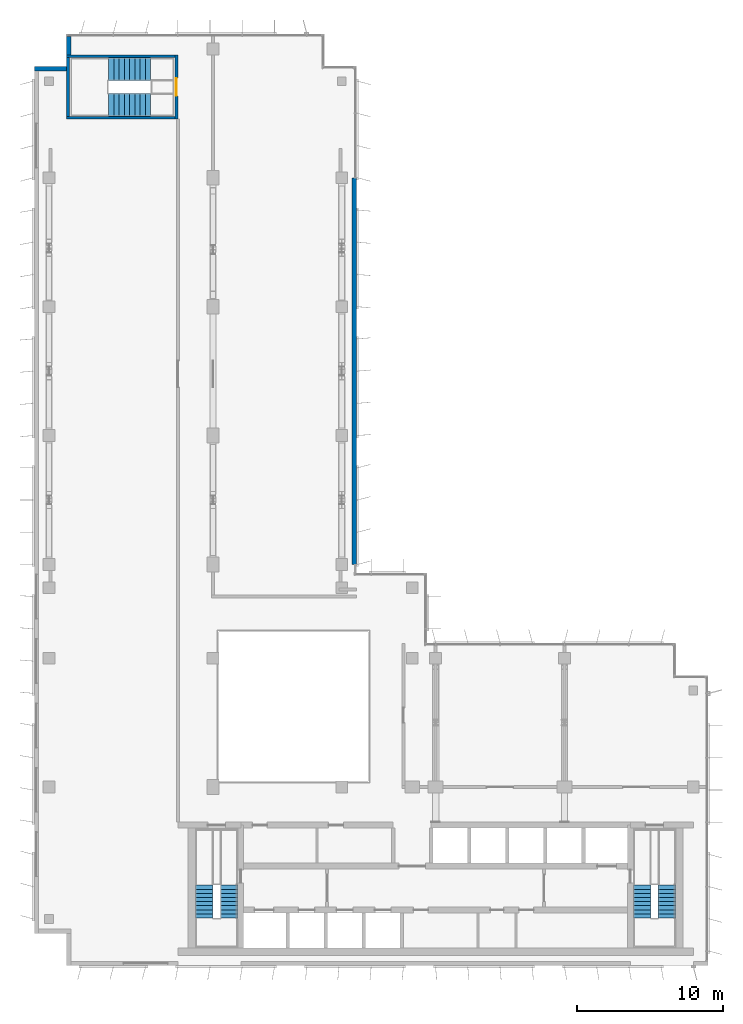
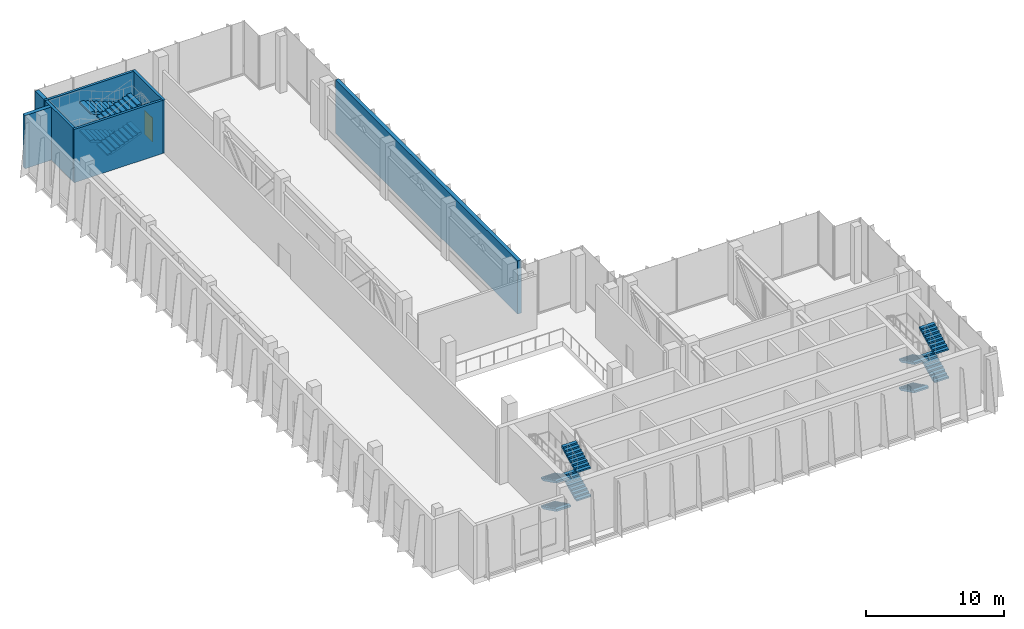
# One storey, part 9 of 13: 12 stair flights, 7 walls, 1 door, 1 opening, 3 elements without a shape of their own.
"""IFC4 building model written with IfcOpenShell, lengths in metres."""

from ifc_helpers import new_model, si_unit, direction, frame, frame_2d, origin, place, context, subcontext, project, spatial, polyline, rectangle, outline, extrude, material, layer, layer_set, type_object, element, fill, aggregate, save


model = new_model("IFC4")

# Units and contexts
model_context = context("Model", 3, precision=1e-05, world=origin(), true_north=direction((0.0, 1.0)))
body_context = subcontext(model_context, "Body", "Model", "MODEL_VIEW")
ifc_project = project(units=[si_unit("LENGTHUNIT", "METRE"), si_unit("AREAUNIT", "SQUARE_METRE"), si_unit("VOLUMEUNIT", "CUBIC_METRE"), si_unit("PLANEANGLEUNIT", "RADIAN"), si_unit("MASSUNIT", "GRAM", prefix="KILO")], contexts=[model_context])

# Site, building, storey
site_placement = place(None, origin())
site = spatial("IfcSite", under=ifc_project, at=site_placement, CompositionType="ELEMENT")
building_placement = place(site_placement, origin())
building = spatial("IfcBuilding", under=site, at=building_placement, Name="Kemantara Hotel Tower", CompositionType="ELEMENT")
storey_placement = place(building_placement, frame((0.0, 0.0, 256.10009765625)))
storey = spatial("IfcBuildingStorey", under=building, at=storey_placement, Name="L64", CompositionType="ELEMENT", Elevation=256.10009765625)

# Walls
ifc_material_1 = material(Name="Bronze anodised aluminium cladding on insulated steel stud wall", Category="steel")
ifc_layer_1 = layer(ifc_material_1, 0.300048828125)
ifc_layer_set_1 = layer_set([ifc_layer_1], Name="Bronze anodised aluminium cladding on insulated steel stud wall")
wall_type_1 = type_object("IfcWallType", Name="BRONZE METAL-CLAD EXTERNAL WALL 300", PredefinedType="STANDARD", material=ifc_layer_set_1)
wall_1_placement = place(storey_placement, frame((2.35009765625, 63.449951171875, 0.0), z_axis=(0.0, 0.0, 1.0), x_axis=(0.0, -1.0, 0.0)))
element("IfcWall", 1, at=wall_1_placement, inside=storey, type_object=wall_type_1, Name="EXTERNAL WALL L64 T4-R03", PredefinedType="STANDARD", context=body_context, shape_type="SweptSolid", body=[
    extrude(rectangle(XDim=1.25, YDim=0.300048828125, at=frame_2d((0.625, 0.0))), origin(), (0.0, 0.0, 1.0), 4.699951171875),
])
wall_2_placement = place(storey_placement, frame((2.199951171875, 61.25, 0.0), z_axis=(0.0, 0.0, 1.0), x_axis=(-1.0, 0.0, 0.0)))
element("IfcWall", 2, at=wall_2_placement, inside=storey, type_object=wall_type_1, Name="EXTERNAL WALL L64 T4-R04", PredefinedType="STANDARD", context=body_context, shape_type="SweptSolid", body=[
    extrude(rectangle(XDim=2.199951171875, YDim=0.300048828125, at=frame_2d((1.10009765625, 0.0))), origin(), (0.0, 0.0, 1.0), 4.699951171875),
])
wall_3_placement = place(storey_placement, frame((21.85009765625, 27.39990234375, 0.0), z_axis=(0.0, 0.0, 1.0), x_axis=(0.0, 1.0, 0.0)))
element("IfcWall", 3, at=wall_3_placement, inside=storey, type_object=wall_type_1, Name="EXTERNAL WALL L64 T4-R15.S0", PredefinedType="STANDARD", context=body_context, shape_type="SweptSolid", body=[
    extrude(rectangle(XDim=26.400146484375, YDim=0.300048828125, at=frame_2d((13.2001953125, 0.0))), origin(), (0.0, 0.0, 1.0), 4.699951171875),
])

# Wall, opening, door
ifc_material_2 = material(Name="Concrete fc 40 MPa", Category="concrete")
ifc_layer_2 = layer(ifc_material_2, 0.199951171875)
ifc_layer_set_2 = layer_set([ifc_layer_2], Name="Concrete fc 40 MPa")
wall_type_2 = type_object("IfcWallType", Name="Concrete stair wall 200 mm", PredefinedType="SHEAR", material=ifc_layer_set_2)
wall_4_placement = place(storey_placement, frame((9.699951171875, 57.800048828125, 0.0), z_axis=(0.0, 0.0, 1.0), x_axis=(0.0, 1.0, 0.0)))
wall_4 = element("IfcWall", 4, at=wall_4_placement, inside=storey, type_object=wall_type_2, Name="Stair ST4 enclosure wall with door", PredefinedType="SHEAR", context=body_context, shape_type="SweptSolid", body=[
    extrude(rectangle(XDim=4.39990234375, YDim=0.199951171875, at=frame_2d((2.199951171875, 0.0))), origin(), (0.0, 0.0, 1.0), 4.699951171875),
])
opening_placement = place(wall_4_placement, frame((1.60009765625, 0.0, 0.0)))
opening = element("IfcOpeningElement", 5, at=opening_placement, cuts=wall_4, Name="Opening ST4-C", PredefinedType="OPENING", context=body_context, shape_type="SweptSolid", body=[
    extrude(rectangle(XDim=1.199951171875, YDim=2.10009765625, at=frame_2d((0.60009765625, 1.050048828125))), frame((0.0, 0.10986328125, 0.0), z_axis=(0.0, -1.0, 0.0), x_axis=(1.0, 0.0, 0.0)), (0.0, 0.0, 1.0), 0.219970703125),
])
ifc_material_3 = material(Name="Steel fire door", Category="steel")
door_type = type_object("IfcDoorType", Name="Fire door FD90 1200 x 2100", OperationType="NOTDEFINED", PredefinedType="DOOR", material=ifc_material_3)
door_placement = place(opening_placement, origin())
door = element("IfcDoor", 6, at=door_placement, inside=storey, type_object=door_type, Name="Stair ST4 door", OperationType="SINGLE_SWING_RIGHT", OverallHeight=2.10009765625, OverallWidth=1.199951171875, PredefinedType="DOOR", context=body_context, shape_type="SweptSolid", body=[
    extrude(rectangle(XDim=1.199951171875, YDim=2.10009765625, at=frame_2d((0.60009765625, 1.050048828125))), frame((0.0, 0.02490234375, 0.0), z_axis=(0.0, -1.0, 0.0), x_axis=(1.0, 0.0, 0.0)), (0.0, 0.0, 1.0), 0.050048828125),
])
fill(opening, door)

# Walls
for number, where, z_axis, x_axis, name in (
    (7, (2.199951171875, 62.10009765625, 0.0), (0.0, 0.0, 1.0), (1.0, 0.0, 0.0), "Stair ST4 enclosure wall N"),
    (8, (2.199951171875, 57.89990234375, 0.0), (0.0, 0.0, 1.0), (1.0, 0.0, 0.0), "Stair ST4 enclosure wall S"),
):
    element("IfcWall", number, at=place(storey_placement, frame(where, z_axis=z_axis, x_axis=x_axis)), inside=storey, type_object=wall_type_2, Name=name, PredefinedType="SHEAR", context=body_context, shape_type="SweptSolid", body=[
        extrude(rectangle(XDim=7.400146484375, YDim=0.199951171875, at=frame_2d((3.7001953125, 0.0))), origin(), (0.0, 0.0, 1.0), 4.699951171875),
    ])
wall_5_placement = place(storey_placement, frame((2.300048828125, 58.0, 0.0), z_axis=(0.0, 0.0, 1.0), x_axis=(0.0, 1.0, 0.0)))
element("IfcWall", 9, at=wall_5_placement, inside=storey, type_object=wall_type_2, Name="Stair ST4 enclosure wall W", PredefinedType="SHEAR", context=body_context, shape_type="SweptSolid", body=[
    extrude(rectangle(XDim=4.0, YDim=0.199951171875, at=frame_2d((2.0, 0.0))), origin(), (0.0, 0.0, 1.0), 4.699951171875),
])

# Stair, stair flights
stair_type_1 = type_object("IfcStairType", Name="Stair 1200 wide 36 risers of 139 x 280 mm", PredefinedType="HALF_TURN_STAIR", material=ifc_material_2)
stair_1_placement = place(storey_placement, origin())
stair_1 = element("IfcStair", 10, at=stair_1_placement, inside=storey, type_object=stair_type_1, Name="L64 Exit stair ST1", PredefinedType="HALF_TURN_STAIR")
stair_flight_type_1 = type_object("IfcStairFlightType", Name="Stair flight 1200 wide 139 x 280 mm", PredefinedType="STRAIGHT", material=ifc_material_2)
stair_flight_1_placement = place(storey_placement, frame((11.60009765625, 5.5, 0.0), z_axis=(0.0, 0.0, 1.0), x_axis=(0.0, -1.0, 0.0)))
stair_flight_1 = element("IfcStairFlight", 11, at=stair_flight_1_placement, type_object=stair_flight_type_1, Name="ST1 flight 1", NumberOfRisers=9, NumberOfTreads=8, PredefinedType="STRAIGHT", RiserHeight=0.138888889, TreadLength=0.28, context=body_context, shape_type="SweptSolid", body=[
    extrude(outline(polyline([(0.0, 0.0), (0.0, 0.138916015625), (0.280029296875, 0.138916015625), (0.280029296875, 0.27783203125), (0.56005859375, 0.27783203125), (0.56005859375, 0.416748046875), (0.840087890625, 0.416748046875), (0.840087890625, 0.5556640625), (1.1201171875, 0.5556640625), (1.1201171875, 0.6943359375), (1.39990234375, 0.6943359375), (1.39990234375, 0.833251953125), (1.679931640625, 0.833251953125), (1.679931640625, 0.97216796875), (1.9599609375, 0.97216796875), (1.9599609375, 1.111083984375), (2.239990234375, 1.111083984375), (2.239990234375, 1.25), (2.239990234375, 0.94384765625), (0.33740234375, 0.0), (0.0, 0.0)])), frame((0.0, 0.60009765625, 0.0), z_axis=(0.0, -1.0, 0.0), x_axis=(1.0, 0.0, 0.0)), (0.0, 0.0, 1.0), 1.199951171875),
])
stair_flight_2_placement = place(storey_placement, frame((13.300048828125, 3.260009765625, 1.25), z_axis=(0.0, 0.0, 1.0), x_axis=(0.0, 1.0, 0.0)))
stair_flight_2 = element("IfcStairFlight", 12, at=stair_flight_2_placement, type_object=stair_flight_type_1, Name="ST1 flight 2", NumberOfRisers=9, NumberOfTreads=8, PredefinedType="STRAIGHT", RiserHeight=0.138888889, TreadLength=0.28, context=body_context, shape_type="SweptSolid", body=[
    extrude(outline(polyline([(0.0, 0.0), (0.0, 0.138916015625), (0.280029296875, 0.138916015625), (0.280029296875, 0.27783203125), (0.56005859375, 0.27783203125), (0.56005859375, 0.416748046875), (0.840087890625, 0.416748046875), (0.840087890625, 0.5556640625), (1.1201171875, 0.5556640625), (1.1201171875, 0.6943359375), (1.39990234375, 0.6943359375), (1.39990234375, 0.833251953125), (1.679931640625, 0.833251953125), (1.679931640625, 0.97216796875), (1.9599609375, 0.97216796875), (1.9599609375, 1.111083984375), (2.239990234375, 1.111083984375), (2.239990234375, 1.25), (2.239990234375, 0.94384765625), (0.33740234375, 0.0), (0.0, 0.0)])), frame((0.0, 0.60009765625, 0.0), z_axis=(0.0, -1.0, 0.0), x_axis=(1.0, 0.0, 0.0)), (0.0, 0.0, 1.0), 1.199951171875),
])
stair_flight_3_placement = place(storey_placement, frame((11.60009765625, 5.5, 2.5), z_axis=(0.0, 0.0, 1.0), x_axis=(0.0, -1.0, 0.0)))
stair_flight_3 = element("IfcStairFlight", 13, at=stair_flight_3_placement, type_object=stair_flight_type_1, Name="ST1 flight 3", NumberOfRisers=9, NumberOfTreads=8, PredefinedType="STRAIGHT", RiserHeight=0.138888889, TreadLength=0.28, context=body_context, shape_type="SweptSolid", body=[
    extrude(outline(polyline([(0.0, 0.0), (0.0, 0.138916015625), (0.280029296875, 0.138916015625), (0.280029296875, 0.27783203125), (0.56005859375, 0.27783203125), (0.56005859375, 0.416748046875), (0.840087890625, 0.416748046875), (0.840087890625, 0.5556640625), (1.1201171875, 0.5556640625), (1.1201171875, 0.6943359375), (1.39990234375, 0.6943359375), (1.39990234375, 0.833251953125), (1.679931640625, 0.833251953125), (1.679931640625, 0.97216796875), (1.9599609375, 0.97216796875), (1.9599609375, 1.111083984375), (2.239990234375, 1.111083984375), (2.239990234375, 1.25), (2.239990234375, 0.94384765625), (0.33740234375, 0.0), (0.0, 0.0)])), frame((0.0, 0.60009765625, 0.0), z_axis=(0.0, -1.0, 0.0), x_axis=(1.0, 0.0, 0.0)), (0.0, 0.0, 1.0), 1.199951171875),
])
stair_flight_4_placement = place(storey_placement, frame((13.300048828125, 3.260009765625, 3.75), z_axis=(0.0, 0.0, 1.0), x_axis=(0.0, 1.0, 0.0)))
stair_flight_4 = element("IfcStairFlight", 14, at=stair_flight_4_placement, type_object=stair_flight_type_1, Name="ST1 flight 4", NumberOfRisers=9, NumberOfTreads=8, PredefinedType="STRAIGHT", RiserHeight=0.138888889, TreadLength=0.28, context=body_context, shape_type="SweptSolid", body=[
    extrude(outline(polyline([(0.0, 0.0), (0.0, 0.138916015625), (0.280029296875, 0.138916015625), (0.280029296875, 0.27783203125), (0.56005859375, 0.27783203125), (0.56005859375, 0.416748046875), (0.840087890625, 0.416748046875), (0.840087890625, 0.5556640625), (1.1201171875, 0.5556640625), (1.1201171875, 0.6943359375), (1.39990234375, 0.6943359375), (1.39990234375, 0.833251953125), (1.679931640625, 0.833251953125), (1.679931640625, 0.97216796875), (1.9599609375, 0.97216796875), (1.9599609375, 1.111083984375), (2.239990234375, 1.111083984375), (2.239990234375, 1.25), (2.239990234375, 0.94384765625), (0.33740234375, 0.0), (0.0, 0.0)])), frame((0.0, 0.60009765625, 0.0), z_axis=(0.0, -1.0, 0.0), x_axis=(1.0, 0.0, 0.0)), (0.0, 0.0, 1.0), 1.199951171875),
])
aggregate(stair_1, [stair_flight_1, stair_flight_2, stair_flight_3, stair_flight_4])

stair_2_placement = place(storey_placement, origin())
stair_2 = element("IfcStair", 15, at=stair_2_placement, inside=storey, type_object=stair_type_1, Name="L64 Exit stair ST2", PredefinedType="HALF_TURN_STAIR")
stair_flight_5_placement = place(storey_placement, frame((41.5, 5.5, 0.0), z_axis=(0.0, 0.0, 1.0), x_axis=(0.0, -1.0, 0.0)))
stair_flight_5 = element("IfcStairFlight", 16, at=stair_flight_5_placement, type_object=stair_flight_type_1, Name="ST2 flight 1", NumberOfRisers=9, NumberOfTreads=8, PredefinedType="STRAIGHT", RiserHeight=0.138888889, TreadLength=0.28, context=body_context, shape_type="SweptSolid", body=[
    extrude(outline(polyline([(0.0, 0.0), (0.0, 0.138916015625), (0.280029296875, 0.138916015625), (0.280029296875, 0.27783203125), (0.56005859375, 0.27783203125), (0.56005859375, 0.416748046875), (0.840087890625, 0.416748046875), (0.840087890625, 0.5556640625), (1.1201171875, 0.5556640625), (1.1201171875, 0.6943359375), (1.39990234375, 0.6943359375), (1.39990234375, 0.833251953125), (1.679931640625, 0.833251953125), (1.679931640625, 0.97216796875), (1.9599609375, 0.97216796875), (1.9599609375, 1.111083984375), (2.239990234375, 1.111083984375), (2.239990234375, 1.25), (2.239990234375, 0.94384765625), (0.33740234375, 0.0), (0.0, 0.0)])), frame((0.0, 0.60009765625, 0.0), z_axis=(0.0, -1.0, 0.0), x_axis=(1.0, 0.0, 0.0)), (0.0, 0.0, 1.0), 1.199951171875),
])
stair_flight_6_placement = place(storey_placement, frame((43.199951171875, 3.260009765625, 1.25), z_axis=(0.0, 0.0, 1.0), x_axis=(0.0, 1.0, 0.0)))
stair_flight_6 = element("IfcStairFlight", 17, at=stair_flight_6_placement, type_object=stair_flight_type_1, Name="ST2 flight 2", NumberOfRisers=9, NumberOfTreads=8, PredefinedType="STRAIGHT", RiserHeight=0.138888889, TreadLength=0.28, context=body_context, shape_type="SweptSolid", body=[
    extrude(outline(polyline([(0.0, 0.0), (0.0, 0.138916015625), (0.280029296875, 0.138916015625), (0.280029296875, 0.27783203125), (0.56005859375, 0.27783203125), (0.56005859375, 0.416748046875), (0.840087890625, 0.416748046875), (0.840087890625, 0.5556640625), (1.1201171875, 0.5556640625), (1.1201171875, 0.6943359375), (1.39990234375, 0.6943359375), (1.39990234375, 0.833251953125), (1.679931640625, 0.833251953125), (1.679931640625, 0.97216796875), (1.9599609375, 0.97216796875), (1.9599609375, 1.111083984375), (2.239990234375, 1.111083984375), (2.239990234375, 1.25), (2.239990234375, 0.94384765625), (0.33740234375, 0.0), (0.0, 0.0)])), frame((0.0, 0.60009765625, 0.0), z_axis=(0.0, -1.0, 0.0), x_axis=(1.0, 0.0, 0.0)), (0.0, 0.0, 1.0), 1.199951171875),
])
stair_flight_7_placement = place(storey_placement, frame((41.5, 5.5, 2.5), z_axis=(0.0, 0.0, 1.0), x_axis=(0.0, -1.0, 0.0)))
stair_flight_7 = element("IfcStairFlight", 18, at=stair_flight_7_placement, type_object=stair_flight_type_1, Name="ST2 flight 3", NumberOfRisers=9, NumberOfTreads=8, PredefinedType="STRAIGHT", RiserHeight=0.138888889, TreadLength=0.28, context=body_context, shape_type="SweptSolid", body=[
    extrude(outline(polyline([(0.0, 0.0), (0.0, 0.138916015625), (0.280029296875, 0.138916015625), (0.280029296875, 0.27783203125), (0.56005859375, 0.27783203125), (0.56005859375, 0.416748046875), (0.840087890625, 0.416748046875), (0.840087890625, 0.5556640625), (1.1201171875, 0.5556640625), (1.1201171875, 0.6943359375), (1.39990234375, 0.6943359375), (1.39990234375, 0.833251953125), (1.679931640625, 0.833251953125), (1.679931640625, 0.97216796875), (1.9599609375, 0.97216796875), (1.9599609375, 1.111083984375), (2.239990234375, 1.111083984375), (2.239990234375, 1.25), (2.239990234375, 0.94384765625), (0.33740234375, 0.0), (0.0, 0.0)])), frame((0.0, 0.60009765625, 0.0), z_axis=(0.0, -1.0, 0.0), x_axis=(1.0, 0.0, 0.0)), (0.0, 0.0, 1.0), 1.199951171875),
])
stair_flight_8_placement = place(storey_placement, frame((43.199951171875, 3.260009765625, 3.75), z_axis=(0.0, 0.0, 1.0), x_axis=(0.0, 1.0, 0.0)))
stair_flight_8 = element("IfcStairFlight", 19, at=stair_flight_8_placement, type_object=stair_flight_type_1, Name="ST2 flight 4", NumberOfRisers=9, NumberOfTreads=8, PredefinedType="STRAIGHT", RiserHeight=0.138888889, TreadLength=0.28, context=body_context, shape_type="SweptSolid", body=[
    extrude(outline(polyline([(0.0, 0.0), (0.0, 0.138916015625), (0.280029296875, 0.138916015625), (0.280029296875, 0.27783203125), (0.56005859375, 0.27783203125), (0.56005859375, 0.416748046875), (0.840087890625, 0.416748046875), (0.840087890625, 0.5556640625), (1.1201171875, 0.5556640625), (1.1201171875, 0.6943359375), (1.39990234375, 0.6943359375), (1.39990234375, 0.833251953125), (1.679931640625, 0.833251953125), (1.679931640625, 0.97216796875), (1.9599609375, 0.97216796875), (1.9599609375, 1.111083984375), (2.239990234375, 1.111083984375), (2.239990234375, 1.25), (2.239990234375, 0.94384765625), (0.33740234375, 0.0), (0.0, 0.0)])), frame((0.0, 0.60009765625, 0.0), z_axis=(0.0, -1.0, 0.0), x_axis=(1.0, 0.0, 0.0)), (0.0, 0.0, 1.0), 1.199951171875),
])
aggregate(stair_2, [stair_flight_5, stair_flight_6, stair_flight_7, stair_flight_8])

stair_type_2 = type_object("IfcStairType", Name="Stair 1550 wide 36 risers of 139 x 360 mm", PredefinedType="HALF_TURN_STAIR", material=ifc_material_2)
stair_3_placement = place(storey_placement, origin())
stair_3 = element("IfcStair", 20, at=stair_3_placement, inside=storey, type_object=stair_type_2, Name="L64 Exit stair ST4", PredefinedType="HALF_TURN_STAIR")
stair_flight_type_2 = type_object("IfcStairFlightType", Name="Stair flight 1550 wide 139 x 360 mm", PredefinedType="STRAIGHT", material=ifc_material_2)
stair_flight_9_placement = place(storey_placement, frame((7.949951171875, 61.22509765625, 0.0), z_axis=(0.0, 0.0, 1.0), x_axis=(-1.0, 0.0, 0.0)))
stair_flight_9 = element("IfcStairFlight", 21, at=stair_flight_9_placement, type_object=stair_flight_type_2, Name="ST4 flight 1", NumberOfRisers=9, NumberOfTreads=8, PredefinedType="STRAIGHT", RiserHeight=0.138888889, TreadLength=0.36, context=body_context, shape_type="SweptSolid", body=[
    extrude(outline(polyline([(0.0, 0.0), (0.0, 0.138916015625), (0.360107421875, 0.138916015625), (0.360107421875, 0.27783203125), (0.719970703125, 0.27783203125), (0.719970703125, 0.416748046875), (1.080078125, 0.416748046875), (1.080078125, 0.5556640625), (1.43994140625, 0.5556640625), (1.43994140625, 0.6943359375), (1.800048828125, 0.6943359375), (1.800048828125, 0.833251953125), (2.159912109375, 0.833251953125), (2.159912109375, 0.97216796875), (2.52001953125, 0.97216796875), (2.52001953125, 1.111083984375), (2.8798828125, 1.111083984375), (2.8798828125, 1.25), (2.8798828125, 0.950439453125), (0.41650390625, 0.0), (0.0, 0.0)])), frame((0.0, 0.77490234375, 0.0), z_axis=(0.0, -1.0, 0.0), x_axis=(1.0, 0.0, 0.0)), (0.0, 0.0, 1.0), 1.550048828125),
])
stair_flight_10_placement = place(storey_placement, frame((5.070068359375, 58.77490234375, 1.25), z_axis=(0.0, 0.0, 1.0), x_axis=(1.0, 0.0, 0.0)))
stair_flight_10 = element("IfcStairFlight", 22, at=stair_flight_10_placement, type_object=stair_flight_type_2, Name="ST4 flight 2", NumberOfRisers=9, NumberOfTreads=8, PredefinedType="STRAIGHT", RiserHeight=0.138888889, TreadLength=0.36, context=body_context, shape_type="SweptSolid", body=[
    extrude(outline(polyline([(0.0, 0.0), (0.0, 0.138916015625), (0.360107421875, 0.138916015625), (0.360107421875, 0.27783203125), (0.719970703125, 0.27783203125), (0.719970703125, 0.416748046875), (1.080078125, 0.416748046875), (1.080078125, 0.5556640625), (1.43994140625, 0.5556640625), (1.43994140625, 0.6943359375), (1.800048828125, 0.6943359375), (1.800048828125, 0.833251953125), (2.159912109375, 0.833251953125), (2.159912109375, 0.97216796875), (2.52001953125, 0.97216796875), (2.52001953125, 1.111083984375), (2.8798828125, 1.111083984375), (2.8798828125, 1.25), (2.8798828125, 0.950439453125), (0.41650390625, 0.0), (0.0, 0.0)])), frame((0.0, 0.77490234375, 0.0), z_axis=(0.0, -1.0, 0.0), x_axis=(1.0, 0.0, 0.0)), (0.0, 0.0, 1.0), 1.550048828125),
])
stair_flight_11_placement = place(storey_placement, frame((7.949951171875, 61.22509765625, 2.5), z_axis=(0.0, 0.0, 1.0), x_axis=(-1.0, 0.0, 0.0)))
stair_flight_11 = element("IfcStairFlight", 23, at=stair_flight_11_placement, type_object=stair_flight_type_2, Name="ST4 flight 3", NumberOfRisers=9, NumberOfTreads=8, PredefinedType="STRAIGHT", RiserHeight=0.138888889, TreadLength=0.36, context=body_context, shape_type="SweptSolid", body=[
    extrude(outline(polyline([(0.0, 0.0), (0.0, 0.138916015625), (0.360107421875, 0.138916015625), (0.360107421875, 0.27783203125), (0.719970703125, 0.27783203125), (0.719970703125, 0.416748046875), (1.080078125, 0.416748046875), (1.080078125, 0.5556640625), (1.43994140625, 0.5556640625), (1.43994140625, 0.6943359375), (1.800048828125, 0.6943359375), (1.800048828125, 0.833251953125), (2.159912109375, 0.833251953125), (2.159912109375, 0.97216796875), (2.52001953125, 0.97216796875), (2.52001953125, 1.111083984375), (2.8798828125, 1.111083984375), (2.8798828125, 1.25), (2.8798828125, 0.950439453125), (0.41650390625, 0.0), (0.0, 0.0)])), frame((0.0, 0.77490234375, 0.0), z_axis=(0.0, -1.0, 0.0), x_axis=(1.0, 0.0, 0.0)), (0.0, 0.0, 1.0), 1.550048828125),
])
stair_flight_12_placement = place(storey_placement, frame((5.070068359375, 58.77490234375, 3.75), z_axis=(0.0, 0.0, 1.0), x_axis=(1.0, 0.0, 0.0)))
stair_flight_12 = element("IfcStairFlight", 24, at=stair_flight_12_placement, type_object=stair_flight_type_2, Name="ST4 flight 4", NumberOfRisers=9, NumberOfTreads=8, PredefinedType="STRAIGHT", RiserHeight=0.138888889, TreadLength=0.36, context=body_context, shape_type="SweptSolid", body=[
    extrude(outline(polyline([(0.0, 0.0), (0.0, 0.138916015625), (0.360107421875, 0.138916015625), (0.360107421875, 0.27783203125), (0.719970703125, 0.27783203125), (0.719970703125, 0.416748046875), (1.080078125, 0.416748046875), (1.080078125, 0.5556640625), (1.43994140625, 0.5556640625), (1.43994140625, 0.6943359375), (1.800048828125, 0.6943359375), (1.800048828125, 0.833251953125), (2.159912109375, 0.833251953125), (2.159912109375, 0.97216796875), (2.52001953125, 0.97216796875), (2.52001953125, 1.111083984375), (2.8798828125, 1.111083984375), (2.8798828125, 1.25), (2.8798828125, 0.950439453125), (0.41650390625, 0.0), (0.0, 0.0)])), frame((0.0, 0.77490234375, 0.0), z_axis=(0.0, -1.0, 0.0), x_axis=(1.0, 0.0, 0.0)), (0.0, 0.0, 1.0), 1.550048828125),
])
aggregate(stair_3, [stair_flight_9, stair_flight_10, stair_flight_11, stair_flight_12])

save(model, "model.ifc")
